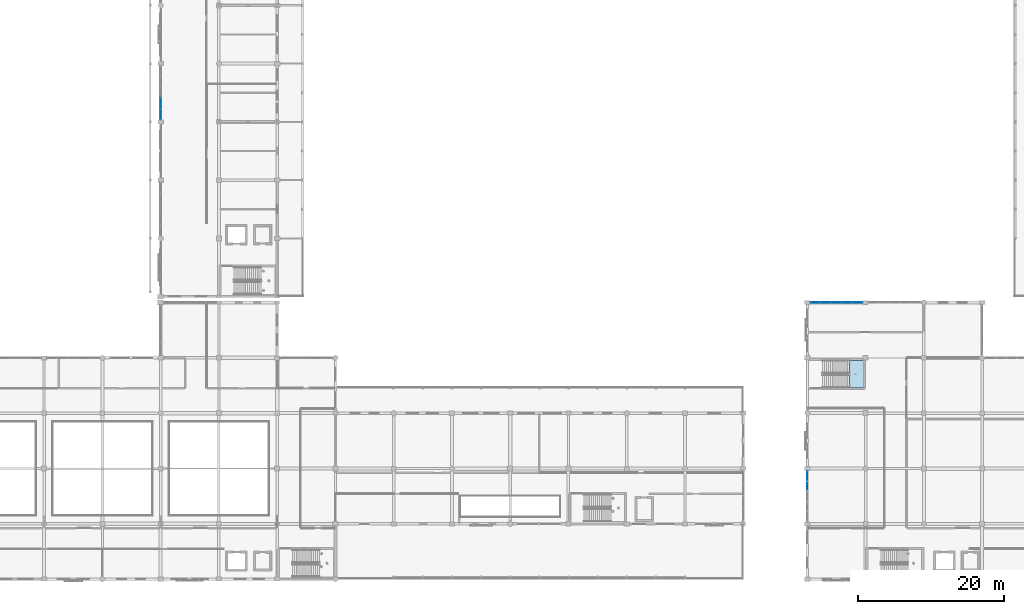
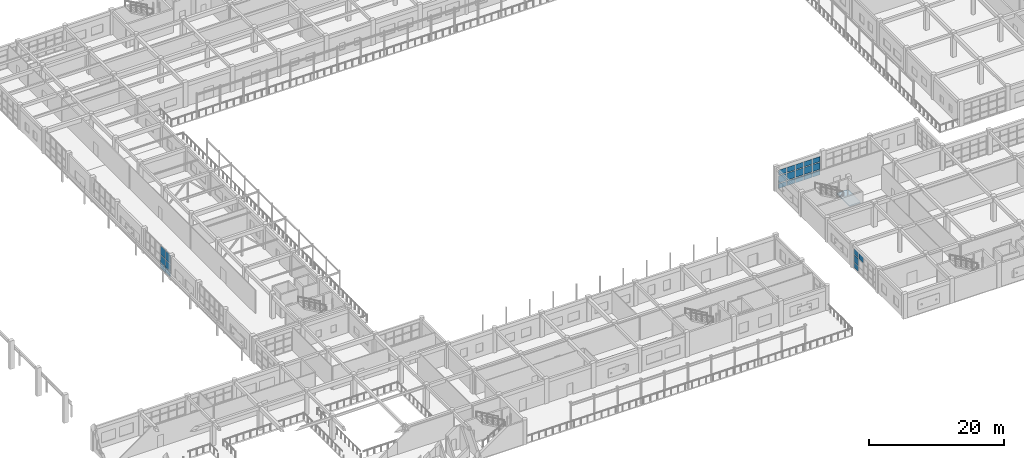
# One storey, part 113 of 160: 25 plates, 1 slab, 4 elements without a shape of their own.
"""IFC4 building model written with IfcOpenShell, lengths in metres."""

from ifc_helpers import new_model, si_unit, direction, frame, origin, origin_2d, place, context, subcontext, project, spatial, polyline, rectangle, outline, extrude, material, layer, layer_set, type_object, element, aggregate, save


model = new_model("IFC4")

# Units and contexts
model_context = context("Model", 3, precision=1e-05, world=origin(), true_north=direction((0.0, 1.0)))
body_context = subcontext(model_context, "Body", "Model", "MODEL_VIEW")
ifc_project = project(units=[si_unit("LENGTHUNIT", "METRE"), si_unit("AREAUNIT", "SQUARE_METRE"), si_unit("VOLUMEUNIT", "CUBIC_METRE"), si_unit("PLANEANGLEUNIT", "RADIAN"), si_unit("MASSUNIT", "GRAM", prefix="KILO")], contexts=[model_context])

# Site, building, storey
site_placement = place(None, origin())
site = spatial("IfcSite", under=ifc_project, at=site_placement, CompositionType="ELEMENT")
building_placement = place(site_placement, origin())
building = spatial("IfcBuilding", under=site, at=building_placement, Name="Kharva Crest Polytechnic", CompositionType="ELEMENT")
storey_placement = place(building_placement, frame((0.0, 0.0, 4.5)))
storey = spatial("IfcBuildingStorey", under=building, at=storey_placement, Name="L01", CompositionType="ELEMENT", Elevation=4.5)

# Curtain wall, plates
ifc_material_1 = material(Name="Tempered insulated glass", Category="glass")
curtain_wall_type_1 = type_object("IfcCurtainWallType", Name="CW-SYS-COURT", PredefinedType="USERDEFINED", material=ifc_material_1)
curtain_wall_1_placement = place(storey_placement, origin())
curtain_wall_1 = element("IfcCurtainWall", 1, at=curtain_wall_1_placement, inside=storey, type_object=curtain_wall_type_1, Name="L01 Glazed Curtain Wall CW-054", ObjectType="CURTAIN WALL", PredefinedType="USERDEFINED")
ifc_layer_1 = layer(ifc_material_1, 0.02392578125, Name="Tempered insulated glass")
ifc_layer_set_1 = layer_set([ifc_layer_1], Name="Tempered insulated glass")
plate_type_1 = type_object("IfcPlateType", Name="CWP-GLZ-24", PredefinedType="CURTAIN_PANEL", material=ifc_layer_set_1)
plate_1_placement = place(storey_placement, frame((32.0, 65.31201171875, 0.119873046875), z_axis=(0.0, 0.0, 1.0), x_axis=(0.0, -1.0, 0.0)))
plate_1 = element("IfcPlate", 2, at=plate_1_placement, type_object=plate_type_1, Name="CW-054 panel 4.1", PredefinedType="CURTAIN_PANEL", context=body_context, shape_type="SweptSolid", body=[
    extrude(rectangle(XDim=1.407958984375, YDim=0.02392578125, at=origin_2d()), origin(), (0.0, 0.0, 1.0), 0.8701171875),
])
plate_2_placement = place(storey_placement, frame((32.0, 65.31201171875, 1.10986328125), z_axis=(0.0, 0.0, 1.0), x_axis=(0.0, -1.0, 0.0)))
plate_2 = element("IfcPlate", 3, at=plate_2_placement, type_object=plate_type_1, Name="CW-054 panel 4.2", PredefinedType="CURTAIN_PANEL", context=body_context, shape_type="SweptSolid", body=[
    extrude(rectangle(XDim=1.407958984375, YDim=0.02392578125, at=origin_2d()), origin(), (0.0, 0.0, 1.0), 1.280029296875),
])
plate_3_placement = place(storey_placement, frame((32.0, 65.31201171875, 2.509765625), z_axis=(0.0, 0.0, 1.0), x_axis=(0.0, -1.0, 0.0)))
plate_3 = element("IfcPlate", 4, at=plate_3_placement, type_object=plate_type_1, Name="CW-054 panel 4.3", PredefinedType="CURTAIN_PANEL", context=body_context, shape_type="SweptSolid", body=[
    extrude(rectangle(XDim=1.407958984375, YDim=0.02392578125, at=origin_2d()), origin(), (0.0, 0.0, 1.0), 1.590087890625),
])
plate_4_placement = place(storey_placement, frame((32.0, 63.843994140625, 0.119873046875), z_axis=(0.0, 0.0, 1.0), x_axis=(0.0, -1.0, 0.0)))
plate_4 = element("IfcPlate", 5, at=plate_4_placement, type_object=plate_type_1, Name="CW-054 panel 5.1", PredefinedType="CURTAIN_PANEL", context=body_context, shape_type="SweptSolid", body=[
    extrude(rectangle(XDim=1.367919921875, YDim=0.02392578125, at=origin_2d()), origin(), (0.0, 0.0, 1.0), 0.8701171875),
])
plate_5_placement = place(storey_placement, frame((32.0, 63.843994140625, 1.10986328125), z_axis=(0.0, 0.0, 1.0), x_axis=(0.0, -1.0, 0.0)))
plate_5 = element("IfcPlate", 6, at=plate_5_placement, type_object=plate_type_1, Name="CW-054 panel 5.2", PredefinedType="CURTAIN_PANEL", context=body_context, shape_type="SweptSolid", body=[
    extrude(rectangle(XDim=1.367919921875, YDim=0.02392578125, at=origin_2d()), origin(), (0.0, 0.0, 1.0), 1.280029296875),
])
plate_6_placement = place(storey_placement, frame((32.0, 63.843994140625, 2.509765625), z_axis=(0.0, 0.0, 1.0), x_axis=(0.0, -1.0, 0.0)))
plate_6 = element("IfcPlate", 7, at=plate_6_placement, type_object=plate_type_1, Name="CW-054 panel 5.3", PredefinedType="CURTAIN_PANEL", context=body_context, shape_type="SweptSolid", body=[
    extrude(rectangle(XDim=1.367919921875, YDim=0.02392578125, at=origin_2d()), origin(), (0.0, 0.0, 1.0), 1.590087890625),
])
aggregate(curtain_wall_1, [plate_1, plate_2, plate_3, plate_4, plate_5, plate_6])

curtain_wall_type_2 = type_object("IfcCurtainWallType", Name="CW-SYS-REFECTORY", PredefinedType="USERDEFINED", material=ifc_material_1)
curtain_wall_2_placement = place(storey_placement, origin())
curtain_wall_2 = element("IfcCurtainWall", 8, at=curtain_wall_2_placement, inside=storey, type_object=curtain_wall_type_2, Name="L01 Glazed Curtain Wall CW-043", ObjectType="CURTAIN WALL", PredefinedType="USERDEFINED")
ifc_layer_2 = layer(ifc_material_1, 0.030029296875, Name="Tempered insulated glass")
ifc_layer_set_2 = layer_set([ifc_layer_2], Name="Tempered insulated glass")
plate_type_2 = type_object("IfcPlateType", Name="CWP-GLZ-30", PredefinedType="CURTAIN_PANEL", material=ifc_layer_set_2)
plate_7_placement = place(storey_placement, frame((127.6845703125, 38.0, 0.14013671875), z_axis=(0.0, 0.0, 1.0), x_axis=(-1.0, 0.0, 0.0)))
plate_7 = element("IfcPlate", 9, at=plate_7_placement, type_object=plate_type_2, Name="CW-043 panel 1.1", PredefinedType="CURTAIN_PANEL", context=body_context, shape_type="SweptSolid", body=[
    extrude(rectangle(XDim=1.301025390625, YDim=0.030029296875, at=origin_2d()), origin(), (0.0, 0.0, 1.0), 0.840087890625),
])
plate_8_placement = place(storey_placement, frame((127.6845703125, 38.0, 1.1201171875), z_axis=(0.0, 0.0, 1.0), x_axis=(-1.0, 0.0, 0.0)))
plate_8 = element("IfcPlate", 10, at=plate_8_placement, type_object=plate_type_2, Name="CW-043 panel 1.2", PredefinedType="CURTAIN_PANEL", context=body_context, shape_type="SweptSolid", body=[
    extrude(rectangle(XDim=1.301025390625, YDim=0.030029296875, at=origin_2d()), origin(), (0.0, 0.0, 1.0), 1.260009765625),
])
plate_9_placement = place(storey_placement, frame((127.6845703125, 38.0, 2.52001953125), z_axis=(0.0, 0.0, 1.0), x_axis=(-1.0, 0.0, 0.0)))
plate_9 = element("IfcPlate", 11, at=plate_9_placement, type_object=plate_type_2, Name="CW-043 panel 1.3", PredefinedType="CURTAIN_PANEL", context=body_context, shape_type="SweptSolid", body=[
    extrude(rectangle(XDim=1.301025390625, YDim=0.030029296875, at=origin_2d()), origin(), (0.0, 0.0, 1.0), 0.909912109375),
])
plate_10_placement = place(storey_placement, frame((126.258544921875, 38.0, 0.14013671875), z_axis=(0.0, 0.0, 1.0), x_axis=(-1.0, 0.0, 0.0)))
plate_10 = element("IfcPlate", 12, at=plate_10_placement, type_object=plate_type_2, Name="CW-043 panel 2.1", PredefinedType="CURTAIN_PANEL", context=body_context, shape_type="SweptSolid", body=[
    extrude(rectangle(XDim=1.35107421875, YDim=0.030029296875, at=origin_2d()), origin(), (0.0, 0.0, 1.0), 0.840087890625),
])
plate_11_placement = place(storey_placement, frame((126.258544921875, 38.0, 1.1201171875), z_axis=(0.0, 0.0, 1.0), x_axis=(-1.0, 0.0, 0.0)))
plate_11 = element("IfcPlate", 13, at=plate_11_placement, type_object=plate_type_2, Name="CW-043 panel 2.2", PredefinedType="CURTAIN_PANEL", context=body_context, shape_type="SweptSolid", body=[
    extrude(rectangle(XDim=1.35107421875, YDim=0.030029296875, at=origin_2d()), origin(), (0.0, 0.0, 1.0), 1.260009765625),
])
plate_12_placement = place(storey_placement, frame((126.258544921875, 38.0, 2.52001953125), z_axis=(0.0, 0.0, 1.0), x_axis=(-1.0, 0.0, 0.0)))
plate_12 = element("IfcPlate", 14, at=plate_12_placement, type_object=plate_type_2, Name="CW-043 panel 2.3", PredefinedType="CURTAIN_PANEL", context=body_context, shape_type="SweptSolid", body=[
    extrude(rectangle(XDim=1.35107421875, YDim=0.030029296875, at=origin_2d()), origin(), (0.0, 0.0, 1.0), 0.909912109375),
])
plate_13_placement = place(storey_placement, frame((124.8076171875, 38.0, 0.14013671875), z_axis=(0.0, 0.0, 1.0), x_axis=(-1.0, 0.0, 0.0)))
plate_13 = element("IfcPlate", 15, at=plate_13_placement, type_object=plate_type_2, Name="CW-043 panel 3.1", PredefinedType="CURTAIN_PANEL", context=body_context, shape_type="SweptSolid", body=[
    extrude(rectangle(XDim=1.35107421875, YDim=0.030029296875, at=origin_2d()), origin(), (0.0, 0.0, 1.0), 0.840087890625),
])
plate_14_placement = place(storey_placement, frame((124.8076171875, 38.0, 1.1201171875), z_axis=(0.0, 0.0, 1.0), x_axis=(-1.0, 0.0, 0.0)))
plate_14 = element("IfcPlate", 16, at=plate_14_placement, type_object=plate_type_2, Name="CW-043 panel 3.2", PredefinedType="CURTAIN_PANEL", context=body_context, shape_type="SweptSolid", body=[
    extrude(rectangle(XDim=1.35107421875, YDim=0.030029296875, at=origin_2d()), origin(), (0.0, 0.0, 1.0), 1.260009765625),
])
plate_15_placement = place(storey_placement, frame((124.8076171875, 38.0, 2.52001953125), z_axis=(0.0, 0.0, 1.0), x_axis=(-1.0, 0.0, 0.0)))
plate_15 = element("IfcPlate", 17, at=plate_15_placement, type_object=plate_type_2, Name="CW-043 panel 3.3", PredefinedType="CURTAIN_PANEL", context=body_context, shape_type="SweptSolid", body=[
    extrude(rectangle(XDim=1.35107421875, YDim=0.030029296875, at=origin_2d()), origin(), (0.0, 0.0, 1.0), 0.909912109375),
])
plate_16_placement = place(storey_placement, frame((123.3564453125, 38.0, 0.14013671875), z_axis=(0.0, 0.0, 1.0), x_axis=(-1.0, 0.0, 0.0)))
plate_16 = element("IfcPlate", 18, at=plate_16_placement, type_object=plate_type_2, Name="CW-043 panel 4.1", PredefinedType="CURTAIN_PANEL", context=body_context, shape_type="SweptSolid", body=[
    extrude(rectangle(XDim=1.35107421875, YDim=0.030029296875, at=origin_2d()), origin(), (0.0, 0.0, 1.0), 0.840087890625),
])
plate_17_placement = place(storey_placement, frame((123.3564453125, 38.0, 1.1201171875), z_axis=(0.0, 0.0, 1.0), x_axis=(-1.0, 0.0, 0.0)))
plate_17 = element("IfcPlate", 19, at=plate_17_placement, type_object=plate_type_2, Name="CW-043 panel 4.2", PredefinedType="CURTAIN_PANEL", context=body_context, shape_type="SweptSolid", body=[
    extrude(rectangle(XDim=1.35107421875, YDim=0.030029296875, at=origin_2d()), origin(), (0.0, 0.0, 1.0), 1.260009765625),
])
plate_18_placement = place(storey_placement, frame((123.3564453125, 38.0, 2.52001953125), z_axis=(0.0, 0.0, 1.0), x_axis=(-1.0, 0.0, 0.0)))
plate_18 = element("IfcPlate", 20, at=plate_18_placement, type_object=plate_type_2, Name="CW-043 panel 4.3", PredefinedType="CURTAIN_PANEL", context=body_context, shape_type="SweptSolid", body=[
    extrude(rectangle(XDim=1.35107421875, YDim=0.030029296875, at=origin_2d()), origin(), (0.0, 0.0, 1.0), 0.909912109375),
])
plate_19_placement = place(storey_placement, frame((121.930419921875, 38.0, 0.14013671875), z_axis=(0.0, 0.0, 1.0), x_axis=(-1.0, 0.0, 0.0)))
plate_19 = element("IfcPlate", 21, at=plate_19_placement, type_object=plate_type_2, Name="CW-043 panel 5.1", PredefinedType="CURTAIN_PANEL", context=body_context, shape_type="SweptSolid", body=[
    extrude(rectangle(XDim=1.301025390625, YDim=0.030029296875, at=origin_2d()), origin(), (0.0, 0.0, 1.0), 0.840087890625),
])
plate_20_placement = place(storey_placement, frame((121.930419921875, 38.0, 1.1201171875), z_axis=(0.0, 0.0, 1.0), x_axis=(-1.0, 0.0, 0.0)))
plate_20 = element("IfcPlate", 22, at=plate_20_placement, type_object=plate_type_2, Name="CW-043 panel 5.2", PredefinedType="CURTAIN_PANEL", context=body_context, shape_type="SweptSolid", body=[
    extrude(rectangle(XDim=1.301025390625, YDim=0.030029296875, at=origin_2d()), origin(), (0.0, 0.0, 1.0), 1.260009765625),
])
plate_21_placement = place(storey_placement, frame((121.930419921875, 38.0, 2.52001953125), z_axis=(0.0, 0.0, 1.0), x_axis=(-1.0, 0.0, 0.0)))
plate_21 = element("IfcPlate", 23, at=plate_21_placement, type_object=plate_type_2, Name="CW-043 panel 5.3", PredefinedType="CURTAIN_PANEL", context=body_context, shape_type="SweptSolid", body=[
    extrude(rectangle(XDim=1.301025390625, YDim=0.030029296875, at=origin_2d()), origin(), (0.0, 0.0, 1.0), 0.909912109375),
])
aggregate(curtain_wall_2, [plate_7, plate_8, plate_9, plate_10, plate_11, plate_12, plate_13, plate_14, plate_15, plate_16, plate_17, plate_18, plate_19, plate_20, plate_21])

curtain_wall_3_placement = place(storey_placement, origin())
curtain_wall_3 = element("IfcCurtainWall", 24, at=curtain_wall_3_placement, inside=storey, type_object=curtain_wall_type_2, Name="L01 Glazed Curtain Wall CW-044", ObjectType="CURTAIN WALL", PredefinedType="USERDEFINED")
plate_22_placement = place(storey_placement, frame((120.800048828125, 14.19091796875, 0.14013671875), z_axis=(0.0, 0.0, 1.0), x_axis=(0.0, -1.0, 0.0)))
plate_22 = element("IfcPlate", 25, at=plate_22_placement, type_object=plate_type_2, Name="CW-044 panel 1.1", PredefinedType="CURTAIN_PANEL", context=body_context, shape_type="SweptSolid", body=[
    extrude(rectangle(XDim=1.258056640625, YDim=0.030029296875, at=origin_2d()), origin(), (0.0, 0.0, 1.0), 0.840087890625),
])
plate_23_placement = place(storey_placement, frame((120.800048828125, 14.19091796875, 1.1201171875), z_axis=(0.0, 0.0, 1.0), x_axis=(0.0, -1.0, 0.0)))
plate_23 = element("IfcPlate", 26, at=plate_23_placement, type_object=plate_type_2, Name="CW-044 panel 1.2", PredefinedType="CURTAIN_PANEL", context=body_context, shape_type="SweptSolid", body=[
    extrude(rectangle(XDim=1.258056640625, YDim=0.030029296875, at=origin_2d()), origin(), (0.0, 0.0, 1.0), 1.260009765625),
])
plate_24_placement = place(storey_placement, frame((120.800048828125, 14.19091796875, 2.52001953125), z_axis=(0.0, 0.0, 1.0), x_axis=(0.0, -1.0, 0.0)))
plate_24 = element("IfcPlate", 27, at=plate_24_placement, type_object=plate_type_2, Name="CW-044 panel 1.3", PredefinedType="CURTAIN_PANEL", context=body_context, shape_type="SweptSolid", body=[
    extrude(rectangle(XDim=1.258056640625, YDim=0.030029296875, at=origin_2d()), origin(), (0.0, 0.0, 1.0), 0.97998046875),
])
plate_25_placement = place(storey_placement, frame((120.800048828125, 12.80810546875, 2.52001953125), z_axis=(0.0, 0.0, 1.0), x_axis=(0.0, -1.0, 0.0)))
plate_25 = element("IfcPlate", 28, at=plate_25_placement, type_object=plate_type_2, Name="CW-044 panel 2.3", PredefinedType="CURTAIN_PANEL", context=body_context, shape_type="SweptSolid", body=[
    extrude(rectangle(XDim=1.30810546875, YDim=0.030029296875, at=origin_2d()), origin(), (0.0, 0.0, 1.0), 0.97998046875),
])
aggregate(curtain_wall_3, [plate_22, plate_23, plate_24, plate_25])

# Stair, slab
ifc_material_2 = material(Name="Concrete C35/45", Category="concrete")
stair_type = type_object("IfcStairType", Name="STR-DOGLEG-1790", PredefinedType="TWO_STRAIGHT_RUN_STAIR", material=ifc_material_2)
stair_placement = place(storey_placement, origin())
stair = element("IfcStair", 29, at=stair_placement, inside=storey, type_object=stair_type, Name="L01 South-East Escarpment Secondary Stair C7", PredefinedType="TWO_STRAIGHT_RUN_STAIR")
ifc_layer_3 = layer(ifc_material_2, 0.199951171875, Name="Concrete C35/45")
ifc_layer_set_3 = layer_set([ifc_layer_3], Name="Concrete C35/45")
slab_type = type_object("IfcSlabType", Name="SLB-LAND-200", PredefinedType="LANDING", material=ifc_layer_set_3)
slab_placement = place(storey_placement, frame((0.0, 0.0, 2.050048828125)))
slab = element("IfcSlab", 30, at=slab_placement, type_object=slab_type, Name="ST-07 landing 1", PredefinedType="LANDING", context=body_context, shape_type="SweptSolid", body=[
    extrude(outline(polyline([(126.610107421875, 26.2900390625), (128.5, 26.2900390625), (128.5, 30.050048828125), (126.610107421875, 30.050048828125), (126.610107421875, 26.2900390625)])), origin(), (0.0, 0.0, 1.0), 0.199951171875),
])
aggregate(stair, [slab])

save(model, "model.ifc")
